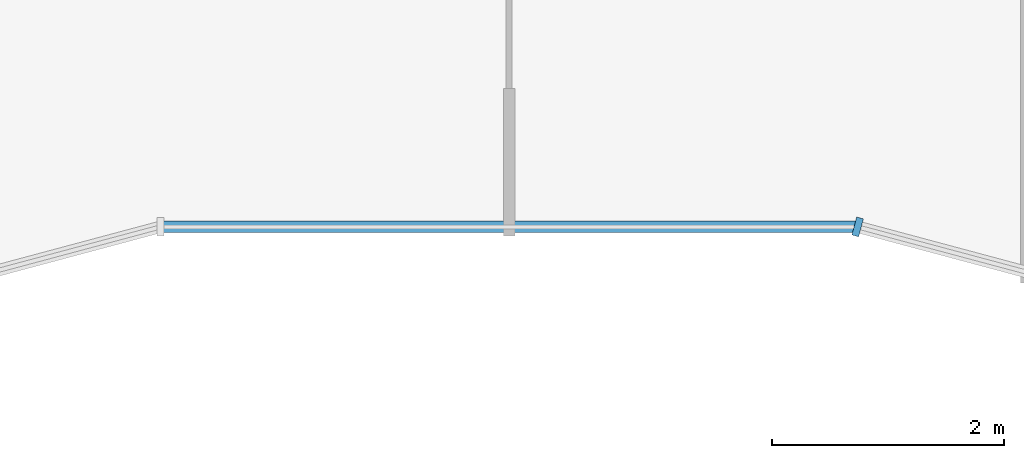
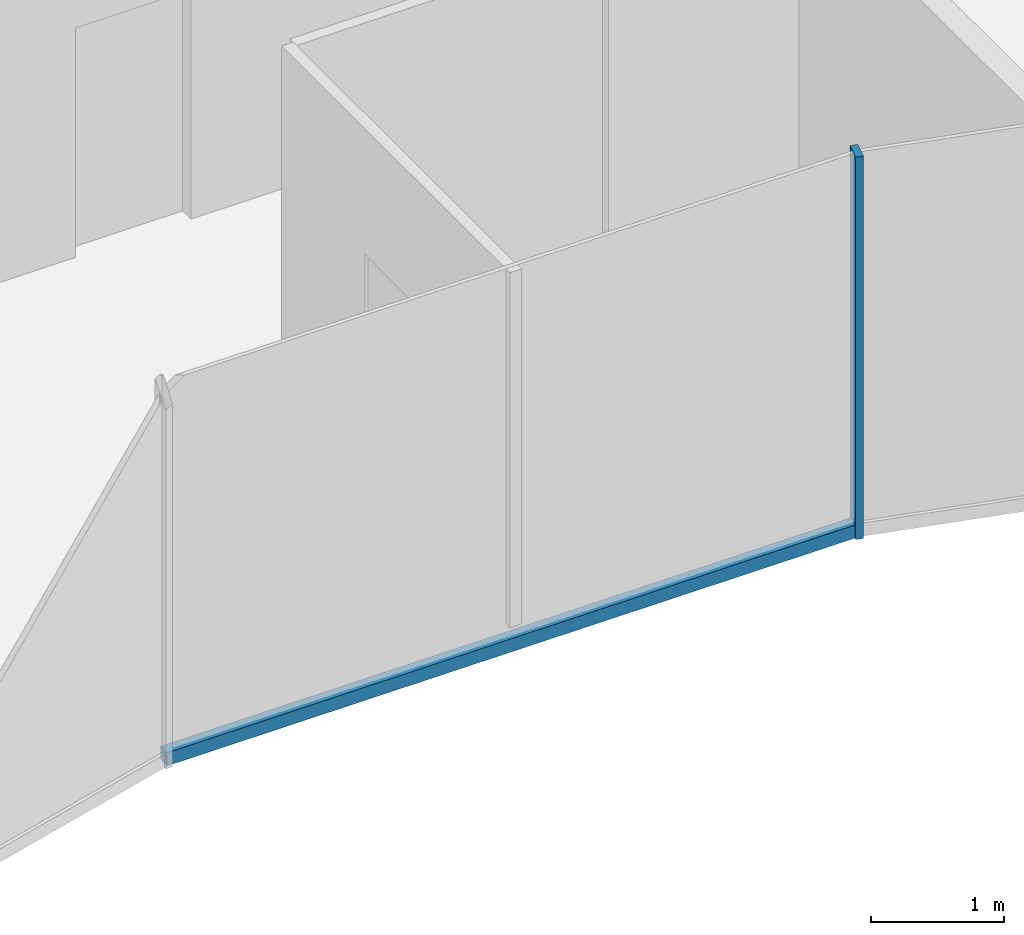
# One storey, part 3 of 15: 2 members, 2 elements without a shape of their own.
"""IFC4 building model written with IfcOpenShell, lengths in metres."""

from ifc_helpers import new_model, si_unit, direction, frame, origin, origin_2d, place, context, subcontext, project, spatial, rectangle, extrude, material, layer, layer_set, material_profile, profile_set, type_object, element, aggregate, save


model = new_model("IFC4")

# Units and contexts
model_context = context("Model", 3, precision=1e-05, world=origin(), true_north=direction((0.0, 1.0)))
body_context = subcontext(model_context, "Body", "Model", "MODEL_VIEW")
ifc_project = project(units=[si_unit("LENGTHUNIT", "METRE"), si_unit("AREAUNIT", "SQUARE_METRE"), si_unit("VOLUMEUNIT", "CUBIC_METRE"), si_unit("PLANEANGLEUNIT", "RADIAN"), si_unit("MASSUNIT", "GRAM", prefix="KILO")], contexts=[model_context])

# Site, building, storey
site_placement = place(None, origin())
site = spatial("IfcSite", under=ifc_project, at=site_placement, CompositionType="ELEMENT")
building_placement = place(site_placement, origin())
building = spatial("IfcBuilding", under=site, at=building_placement, Name="Plateau Cross Towers", CompositionType="ELEMENT")
storey_placement = place(building_placement, frame((0.0, 0.0, 156.89990234375)))
storey = spatial("IfcBuildingStorey", under=building, at=storey_placement, Name="L40", CompositionType="ELEMENT", Elevation=156.89990234375)

# Curtain wall, member
ifc_material_1 = material(Name="Dark low-iron glass", Category="glass")
ifc_layer = layer(ifc_material_1, 0.260009765625)
ifc_layer_set = layer_set([ifc_layer], Name="Dark low-iron glass")
curtain_wall_type = type_object("IfcCurtainWallType", Name="Curtain wall fluted unitised CW-A", PredefinedType="NOTDEFINED", material=ifc_layer_set)
curtain_wall_1_placement = place(storey_placement, origin())
curtain_wall_1 = element("IfcCurtainWall", 1, at=curtain_wall_1_placement, inside=storey, type_object=curtain_wall_type, Name="ENV/A/L40/A300_16", PredefinedType="NOTDEFINED")
ifc_material_2 = material(Name="Black anodised aluminium", Category="aluminium")
ifc_material_profile_1 = material_profile(ifc_material_2, rectangle(XDim=0.06005859375, YDim=0.159912109375, at=origin_2d()), Name="MULLION 60x160")
ifc_profile_set_1 = profile_set([ifc_material_profile_1], Name="Black anodised aluminium")
member_type_1 = type_object("IfcMemberType", Name="Mullion 60x160 fluted unitised", PredefinedType="MULLION", material=ifc_profile_set_1)
member_1_placement = place(storey_placement, frame((30.0, 1.60693359375, -0.25), z_axis=(0.0, 0.0, 1.0), x_axis=(0.965957983404, -0.258699003279, 0.0)))
member_1 = element("IfcMember", 2, at=member_1_placement, type_object=member_type_1, Name="CW-A mullion 1", PredefinedType="MULLION", context=body_context, shape_type="SweptSolid", body=[
    extrude(rectangle(XDim=0.06005859375, YDim=0.159912109375, at=origin_2d()), origin(), (0.0, 0.0, 1.0), 3.5),
])
aggregate(curtain_wall_1, [member_1])

curtain_wall_2_placement = place(storey_placement, origin())
curtain_wall_2 = element("IfcCurtainWall", 3, at=curtain_wall_2_placement, inside=storey, type_object=curtain_wall_type, Name="ENV/A/L40/A240_16", PredefinedType="NOTDEFINED")
ifc_material_profile_2 = material_profile(ifc_material_2, rectangle(XDim=0.10009765625, YDim=0.1201171875, at=origin_2d()), Name="TRANSOM 100x120")
ifc_profile_set_2 = profile_set([ifc_material_profile_2], Name="Black anodised aluminium")
member_type_2 = type_object("IfcMemberType", Name="Transom 100x120 fluted unitised", PredefinedType="USERDEFINED", material=ifc_profile_set_2)
member_2_placement = place(storey_placement, frame((24.0, 1.60693359375, -0.18994140625), z_axis=(1.0, 0.0, 0.0), x_axis=(0.0, 1.0, 0.0)))
member_2 = element("IfcMember", 4, at=member_2_placement, type_object=member_type_2, Name="CW-A transom", ObjectType="TRANSOM", PredefinedType="USERDEFINED", context=body_context, shape_type="SweptSolid", body=[
    extrude(rectangle(XDim=0.10009765625, YDim=0.1201171875, at=origin_2d()), origin(), (0.0, 0.0, 1.0), 6.0),
])
aggregate(curtain_wall_2, [member_2])

save(model, "model.ifc")
